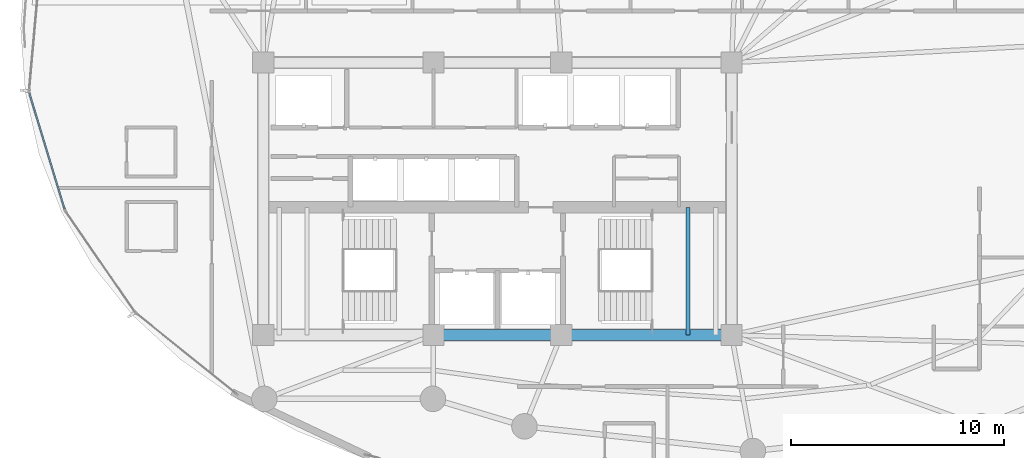
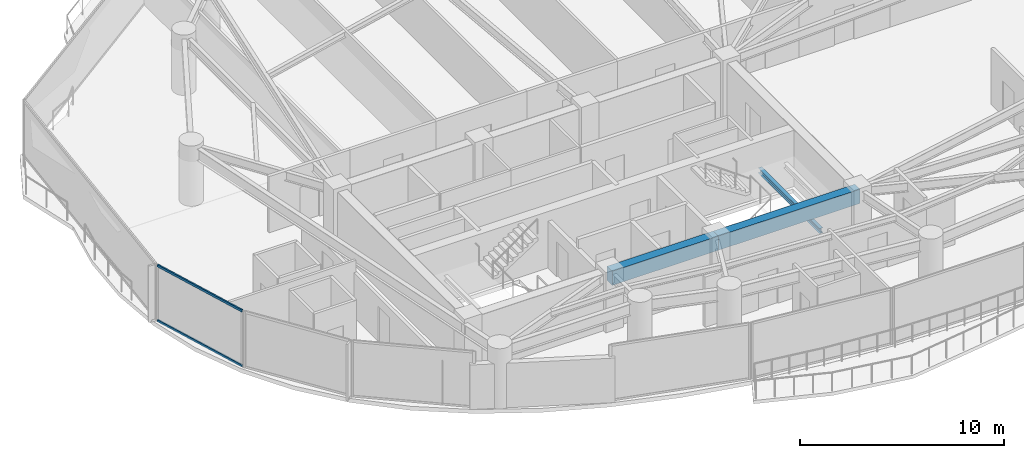
# One storey, part 7 of 33: 3 beams, 2 members, 1 element without a shape of its own.
"""IFC4 building model written with IfcOpenShell, lengths in metres."""

from ifc_helpers import new_model, si_unit, direction, frame, origin, origin_2d, place, context, subcontext, project, spatial, rectangle, hollow_rectangle, i_section, extrude, material, layer, layer_set, material_profile, profile_set, type_object, element, aggregate, save


model = new_model("IFC4")

# Units and contexts
model_context = context("Model", 3, precision=1e-05, world=origin(), true_north=direction((0.0, 1.0)))
body_context = subcontext(model_context, "Body", "Model", "MODEL_VIEW")
ifc_project = project(units=[si_unit("LENGTHUNIT", "METRE"), si_unit("AREAUNIT", "SQUARE_METRE"), si_unit("VOLUMEUNIT", "CUBIC_METRE"), si_unit("PLANEANGLEUNIT", "RADIAN"), si_unit("MASSUNIT", "GRAM", prefix="KILO")], contexts=[model_context])

# Site, building, storey
site_placement = place(None, origin())
site = spatial("IfcSite", under=ifc_project, at=site_placement, CompositionType="ELEMENT")
building_placement = place(site_placement, origin())
building = spatial("IfcBuilding", under=site, at=building_placement, Name="Kazevale Care Tower and Concert Hall", CompositionType="ELEMENT")
storey_placement = place(building_placement, frame((0.0, 0.0, 153.0)))
storey = spatial("IfcBuildingStorey", under=building, at=storey_placement, Name="L40", CompositionType="ELEMENT", Elevation=153.0)

# Curtain wall, members
ifc_material_1 = material(Name="Aluminium 6063-T6 and Low-E Glass", Category="aluminium")
ifc_layer = layer(ifc_material_1, 0.179931640625)
ifc_layer_set = layer_set([ifc_layer], Name="Aluminium 6063-T6 and Low-E Glass")
curtain_wall_type = type_object("IfcCurtainWallType", Name="Waist & Upper Residential Curtain Wall CW-4", PredefinedType="NOTDEFINED", material=ifc_layer_set)
curtain_wall_placement = place(storey_placement, origin())
curtain_wall = element("IfcCurtainWall", 1, at=curtain_wall_placement, inside=storey, type_object=curtain_wall_type, Name="cw:L40:f12", PredefinedType="NOTDEFINED")
ifc_material_2 = material(Name="Aluminium 6063-T6", Category="aluminium")
ifc_material_profile_1 = material_profile(ifc_material_2, hollow_rectangle(XDim=0.080078125, YDim=0.139892578125, WallThickness=0.00390625, at=origin_2d()), Name="ALU80x140x4")
ifc_profile_set_1 = profile_set([ifc_material_profile_1], Name="Aluminium 6063-T6")
member_type = type_object("IfcMemberType", Name="CW-4 Transom ALU80x140x4", PredefinedType="USERDEFINED", material=ifc_profile_set_1)
member_1_placement = place(storey_placement, frame((12.669677734375, 29.517578125, 0.0400390625), z_axis=(-0.290964759976, 0.956733770937, 0.0), x_axis=(-0.956733770937, -0.290964759976, 0.0)))
member_1 = element("IfcMember", 2, at=member_1_placement, type_object=member_type, Name="CW-4 transom 1.1", ObjectType="TRANSOM", PredefinedType="USERDEFINED", context=body_context, shape_type="SweptSolid", body=[
    extrude(hollow_rectangle(XDim=0.080078125, YDim=0.139892578125, WallThickness=0.00390625, at=origin_2d()), origin(), (0.0, 0.0, 1.0), 5.675537109375),
])
member_2_placement = place(storey_placement, frame((12.669677734375, 29.517578125, 3.320068359375), z_axis=(-0.290964759976, 0.956733770937, 0.0), x_axis=(-0.956733770937, -0.290964759976, 0.0)))
member_2 = element("IfcMember", 3, at=member_2_placement, type_object=member_type, Name="CW-4 transom 1.2", ObjectType="TRANSOM", PredefinedType="USERDEFINED", context=body_context, shape_type="SweptSolid", body=[
    extrude(hollow_rectangle(XDim=0.080078125, YDim=0.139892578125, WallThickness=0.00390625, at=origin_2d()), origin(), (0.0, 0.0, 1.0), 5.675537109375),
])
aggregate(curtain_wall, [member_1, member_2])

# Beams
ifc_material_3 = material(Name="Concrete C60", Category="concrete")
ifc_material_profile_2 = material_profile(ifc_material_3, rectangle(XDim=0.5, YDim=0.85009765625, at=origin_2d()), Name="RC-B500x850")
ifc_profile_set_2 = profile_set([ifc_material_profile_2], Name="Concrete C60")
beam_type_1 = type_object("IfcBeamType", Name="Core Coupling Beam RC500x850", PredefinedType="LINTEL", material=ifc_profile_set_2)
beam_1_placement = place(storey_placement, frame((30.0, 23.60009765625, 2.93505859375), z_axis=(1.0, 0.0, 0.0), x_axis=(0.0, 1.0, 0.0)))
element("IfcBeam", 4, at=beam_1_placement, inside=storey, type_object=beam_type_1, Name="beam:L40:coretie:2", PredefinedType="LINTEL", context=body_context, shape_type="SweptSolid", body=[
    extrude(rectangle(XDim=0.5, YDim=0.85009765625, at=origin_2d()), origin(), (0.0, 0.0, 1.0), 6.0),
])
beam_2_placement = place(storey_placement, frame((36.0, 23.60009765625, 2.93505859375), z_axis=(1.0, 0.0, 0.0), x_axis=(0.0, 1.0, 0.0)))
element("IfcBeam", 5, at=beam_2_placement, inside=storey, type_object=beam_type_1, Name="beam:L40:coretie:3", PredefinedType="LINTEL", context=body_context, shape_type="SweptSolid", body=[
    extrude(rectangle(XDim=0.5, YDim=0.85009765625, at=origin_2d()), origin(), (0.0, 0.0, 1.0), 8.0),
])
ifc_material_4 = material(Name="Steel ASTM A572 Gr 50", Category="steel")
ifc_material_profile_3 = material_profile(ifc_material_4, i_section(OverallWidth=0.202880859375, OverallDepth=0.302978515625, WebThickness=0.007568359375, FlangeThickness=0.01318359375, at=origin_2d()), Name="W310x60")
ifc_profile_set_3 = profile_set([ifc_material_profile_3], Name="Steel ASTM A572 Gr 50")
beam_type_2 = type_object("IfcBeamType", Name="Stair & Balcony Trimmer W310x60", PredefinedType="BEAM", material=ifc_profile_set_3)
beam_3_placement = place(storey_placement, frame((41.949951171875, 23.60009765625, 1.448486328125), z_axis=(0.0, 1.0, 0.0), x_axis=(-1.0, 0.0, 0.0)))
element("IfcBeam", 6, at=beam_3_placement, inside=storey, type_object=beam_type_2, Name="beam:L40:sttrim:ST2", PredefinedType="BEAM", context=body_context, shape_type="SweptSolid", body=[
    extrude(i_section(OverallWidth=0.202880859375, OverallDepth=0.302978515625, WebThickness=0.007568359375, FlangeThickness=0.01318359375, at=origin_2d()), origin(), (0.0, 0.0, 1.0), 6.0),
])

save(model, "model.ifc")
